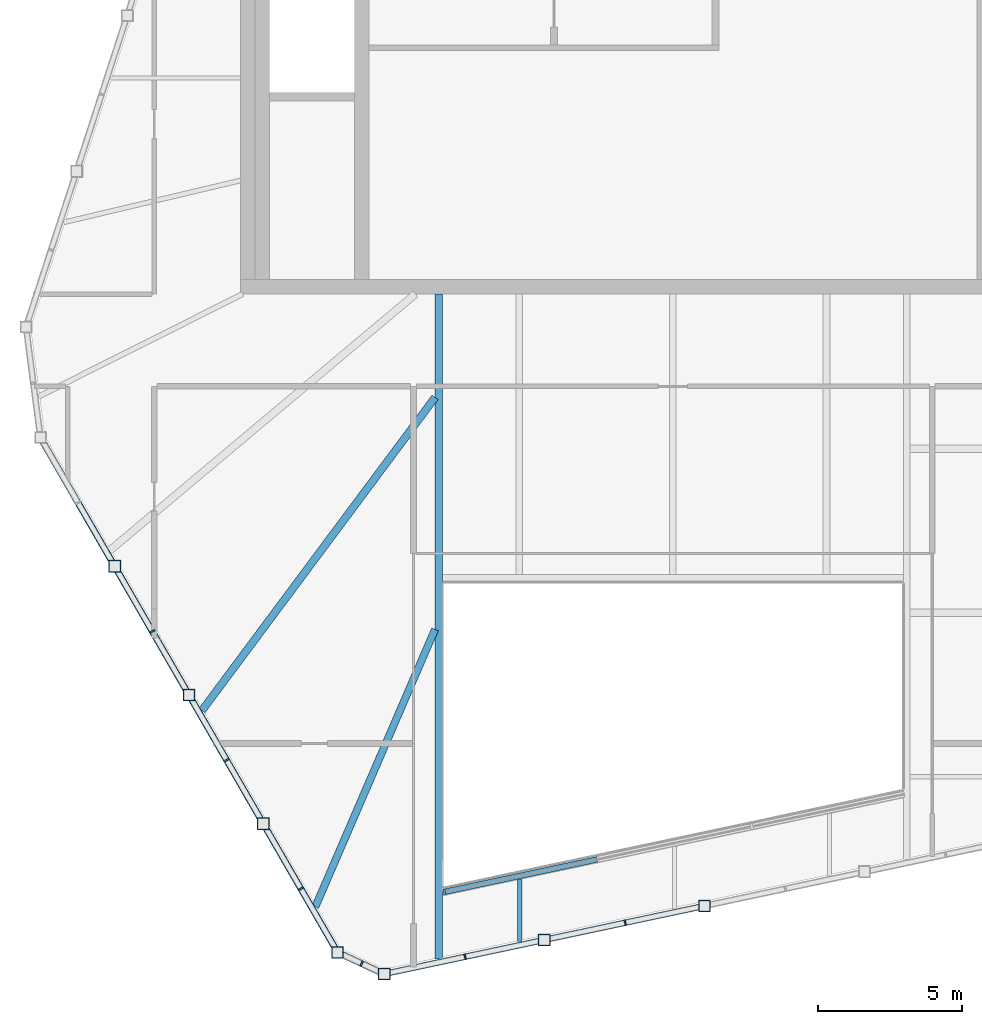
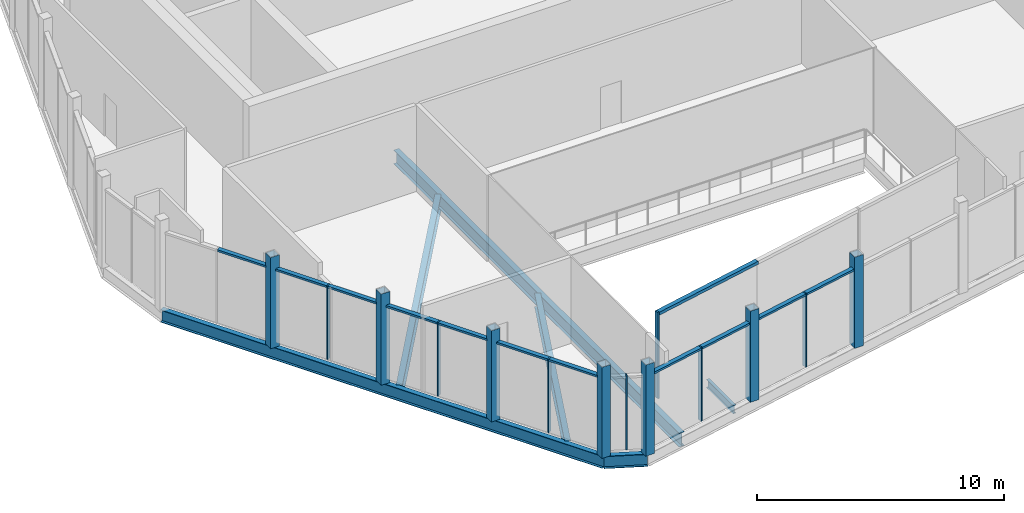
# One storey, part 1 of 10: 26 members, 6 beams, 4 elements without a shape of their own.
"""IFC4 building model written with IfcOpenShell, lengths in metres."""

from ifc_helpers import new_model, si_unit, direction, frame, origin, origin_2d, place, context, subcontext, project, spatial, rectangle, hollow_rectangle, i_section, extrude, material, layer, layer_set, material_profile, profile_set, type_object, element, aggregate, save


model = new_model("IFC4")

# Units and contexts
model_context = context("Model", 3, precision=1e-05, world=origin(), true_north=direction((0.0, 1.0)))
body_context = subcontext(model_context, "Body", "Model", "MODEL_VIEW")
ifc_project = project(units=[si_unit("LENGTHUNIT", "METRE"), si_unit("AREAUNIT", "SQUARE_METRE"), si_unit("VOLUMEUNIT", "CUBIC_METRE"), si_unit("PLANEANGLEUNIT", "RADIAN"), si_unit("MASSUNIT", "GRAM", prefix="KILO")], contexts=[model_context])

# Site, building, storey
site_placement = place(None, origin())
site = spatial("IfcSite", under=ifc_project, at=site_placement, CompositionType="ELEMENT")
building_placement = place(site_placement, origin())
building = spatial("IfcBuilding", under=site, at=building_placement, Name="Isthmus Gate Tower", CompositionType="ELEMENT")
storey_placement = place(building_placement, frame((0.0, 0.0, 311.10009765625)))
storey = spatial("IfcBuildingStorey", under=building, at=storey_placement, Name="C3", CompositionType="ELEMENT", Elevation=311.10009765625)

# Members
ifc_material_1 = material(Name="Structural steel ASTM A500 Gr C", Category="steel")
ifc_material_profile_1 = material_profile(ifc_material_1, hollow_rectangle(XDim=0.406494140625, YDim=0.406494140625, WallThickness=0.017578125, at=origin_2d()), Name="HSS16X16X3/4")
ifc_profile_set_1 = profile_set([ifc_material_profile_1], Name="Structural steel ASTM A500 Gr C")
member_type_1 = type_object("IfcMemberType", Name="CROWN POST HSS16X16X3/4", PredefinedType="POST", material=ifc_profile_set_1)
for number, where, z_axis, x_axis, name in (
    (1, (-19.370849609375, -9.44873046875, -0.25), (0.0, 0.0, 1.0), (1.0, 0.0, 0.0), "str-crownpost-C3-12"),
    (2, (-16.792236328125, -13.9150390625, -0.25), (0.0, 0.0, 1.0), (1.0, 0.0, 0.0), "str-crownpost-C3-13"),
    (3, (-14.213623046875, -18.38134765625, -0.25), (0.0, 0.0, 1.0), (1.0, 0.0, 0.0), "str-crownpost-C3-14"),
    (4, (-11.634765625, -22.847900390625, -0.25), (0.0, 0.0, 1.0), (1.0, 0.0, 0.0), "str-crownpost-C3-15"),
    (5, (-10.020263671875, -23.596435546875, -0.25), (0.0, 0.0, 1.0), (1.0, 0.0, 0.0), "str-crownpost-C3-16"),
    (6, (-4.46142578125, -22.414794921875, -0.25), (0.0, 0.0, 1.0), (1.0, 0.0, 0.0), "str-crownpost-C3-17"),
    (7, (1.097412109375, -21.233154296875, -0.25), (0.0, 0.0, 1.0), (1.0, 0.0, 0.0), "str-crownpost-C3-18"),
):
    element("IfcMember", number, at=place(storey_placement, frame(where, z_axis=z_axis, x_axis=x_axis)), inside=storey, type_object=member_type_1, Name=name, PredefinedType="POST", context=body_context, shape_type="SweptSolid", body=[
        extrude(hollow_rectangle(XDim=0.406494140625, YDim=0.406494140625, WallThickness=0.017578125, at=origin_2d()), origin(), (0.0, 0.0, 1.0), 4.5),
    ])

# Beams
ifc_material_2 = material(Name="Structural steel ASTM A992 Gr 50", Category="steel")
ifc_material_profile_2 = material_profile(ifc_material_2, i_section(OverallWidth=0.231689453125, OverallDepth=0.615966796875, WebThickness=0.0126953125, FlangeThickness=0.022216796875, at=origin_2d()), Name="W24X94")
ifc_profile_set_2 = profile_set([ifc_material_profile_2], Name="Structural steel ASTM A992 Gr 50")
beam_type_1 = type_object("IfcBeamType", Name="CROWN RING BEAM W24X94", PredefinedType="BEAM", material=ifc_profile_set_2)
beam_1_placement = place(storey_placement, frame((-21.949462890625, -4.982177734375, -0.55810546875), z_axis=(0.499996999955, -0.866027135854, 0.0), x_axis=(0.866027135854, 0.499996999955, 0.0)))
element("IfcBeam", 8, at=beam_1_placement, inside=storey, type_object=beam_type_1, Name="str-crownring-C3-04", PredefinedType="BEAM", context=body_context, shape_type="SweptSolid", body=[
    extrude(i_section(OverallWidth=0.231689453125, OverallDepth=0.615966796875, WebThickness=0.0126953125, FlangeThickness=0.022216796875, at=origin_2d()), origin(), (0.0, 0.0, 1.0), 20.629638671875),
])
beam_2_placement = place(storey_placement, frame((-11.634765625, -22.847900390625, -0.55810546875), z_axis=(0.907235278747, -0.420623524065, 0.0), x_axis=(0.420623524065, 0.907235278747, 0.0)))
element("IfcBeam", 9, at=beam_2_placement, inside=storey, type_object=beam_type_1, Name="str-crownring-C3-05", PredefinedType="BEAM", context=body_context, shape_type="SweptSolid", body=[
    extrude(i_section(OverallWidth=0.231689453125, OverallDepth=0.615966796875, WebThickness=0.0126953125, FlangeThickness=0.022216796875, at=origin_2d()), origin(), (0.0, 0.0, 1.0), 1.779541015625),
])

# Curtain wall, members
ifc_material_3 = material(Name="Aluminium, pale champagne anodised", Category="aluminium")
ifc_layer_1 = layer(ifc_material_3, 0.199951171875)
ifc_layer_set_1 = layer_set([ifc_layer_1], Name="CW-2 LOUVRE CURTAIN WALL 200 DEEP")
curtain_wall_type_1 = type_object("IfcCurtainWallType", Name="CW-2 LOUVRE CURTAIN WALL 200 DEEP", PredefinedType="NOTDEFINED", material=ifc_layer_set_1)
curtain_wall_1_placement = place(storey_placement, origin())
curtain_wall_1 = element("IfcCurtainWall", 10, at=curtain_wall_1_placement, inside=storey, type_object=curtain_wall_type_1, Name="CW-2 E04 C3", PredefinedType="NOTDEFINED")
ifc_material_4 = material(Name="Aluminium, pale champagne anodised", Category="aluminium")
ifc_material_profile_3 = material_profile(ifc_material_4, rectangle(XDim=0.06005859375, YDim=0.199951171875, at=origin_2d()), Name="60x200")
ifc_profile_set_3 = profile_set([ifc_material_profile_3], Name="Aluminium, pale champagne anodised")
member_type_2 = type_object("IfcMemberType", Name="CW-2 MULLION 60 X 200", PredefinedType="MULLION", material=ifc_profile_set_3)
member_1_placement = place(storey_placement, frame((-18.066650390625, -11.707763671875, 0.0), z_axis=(0.0, 0.0, 1.0), x_axis=(0.5, -0.866025403784, 0.0)))
member_1 = element("IfcMember", 11, at=member_1_placement, type_object=member_type_2, Name="CW-2 mullion", PredefinedType="MULLION", context=body_context, shape_type="SweptSolid", body=[
    extrude(rectangle(XDim=0.06005859375, YDim=0.199951171875, at=origin_2d()), origin(), (0.0, 0.0, 1.0), 3.634033203125),
])
member_2_placement = place(storey_placement, frame((-15.48779296875, -16.17431640625, 0.0), z_axis=(0.0, 0.0, 1.0), x_axis=(0.5, -0.866025403784, 0.0)))
member_2 = element("IfcMember", 12, at=member_2_placement, type_object=member_type_2, Name="CW-2 mullion", PredefinedType="MULLION", context=body_context, shape_type="SweptSolid", body=[
    extrude(rectangle(XDim=0.06005859375, YDim=0.199951171875, at=origin_2d()), origin(), (0.0, 0.0, 1.0), 3.634033203125),
])
member_3_placement = place(storey_placement, frame((-12.9091796875, -20.640625, 0.0), z_axis=(0.0, 0.0, 1.0), x_axis=(0.5, -0.866025403784, 0.0)))
member_3 = element("IfcMember", 13, at=member_3_placement, type_object=member_type_2, Name="CW-2 mullion", PredefinedType="MULLION", context=body_context, shape_type="SweptSolid", body=[
    extrude(rectangle(XDim=0.06005859375, YDim=0.199951171875, at=origin_2d()), origin(), (0.0, 0.0, 1.0), 3.634033203125),
])

# Curtain wall, member
curtain_wall_2_placement = place(storey_placement, origin())
curtain_wall_2 = element("IfcCurtainWall", 14, at=curtain_wall_2_placement, inside=storey, type_object=curtain_wall_type_1, Name="CW-2 E05 C3", PredefinedType="NOTDEFINED")
member_4_placement = place(storey_placement, frame((-10.80029296875, -23.234619140625, 0.0), z_axis=(0.0, 0.0, 1.0), x_axis=(0.907256261367, -0.420578264073, 0.0)))
member_4 = element("IfcMember", 15, at=member_4_placement, type_object=member_type_2, Name="CW-2 mullion", PredefinedType="MULLION", context=body_context, shape_type="SweptSolid", body=[
    extrude(rectangle(XDim=0.06005859375, YDim=0.199951171875, at=origin_2d()), origin(), (0.0, 0.0, 1.0), 3.634033203125),
])
aggregate(curtain_wall_2, [member_4])

# Curtain wall, members
curtain_wall_3_placement = place(storey_placement, origin())
curtain_wall_3 = element("IfcCurtainWall", 16, at=curtain_wall_3_placement, inside=storey, type_object=curtain_wall_type_1, Name="CW-2 E06 C3", PredefinedType="NOTDEFINED")
member_5_placement = place(storey_placement, frame((-7.21142578125, -22.999267578125, 0.0), z_axis=(0.0, 0.0, 1.0), x_axis=(0.978147600734, 0.207911690818, 0.0)))
member_5 = element("IfcMember", 17, at=member_5_placement, type_object=member_type_2, Name="CW-2 mullion", PredefinedType="MULLION", context=body_context, shape_type="SweptSolid", body=[
    extrude(rectangle(XDim=0.06005859375, YDim=0.199951171875, at=origin_2d()), origin(), (0.0, 0.0, 1.0), 3.634033203125),
])
member_6_placement = place(storey_placement, frame((-1.652587890625, -21.81787109375, 0.0), z_axis=(0.0, 0.0, 1.0), x_axis=(0.978147600734, 0.207911690818, 0.0)))
member_6 = element("IfcMember", 18, at=member_6_placement, type_object=member_type_2, Name="CW-2 mullion", PredefinedType="MULLION", context=body_context, shape_type="SweptSolid", body=[
    extrude(rectangle(XDim=0.06005859375, YDim=0.199951171875, at=origin_2d()), origin(), (0.0, 0.0, 1.0), 3.634033203125),
])

# Member
ifc_material_5 = material(Name="Aluminium, pale champagne anodised", Category="aluminium")
ifc_material_profile_4 = material_profile(ifc_material_5, rectangle(XDim=0.199951171875, YDim=0.10009765625, at=origin_2d()), Name="200x100")
ifc_profile_set_4 = profile_set([ifc_material_profile_4], Name="Aluminium, pale champagne anodised")
member_type_3 = type_object("IfcMemberType", Name="CW-2 TRANSOM 200 X 100", PredefinedType="USERDEFINED", material=ifc_profile_set_4)
member_7_placement = place(storey_placement, frame((-20.630126953125, -7.267333984375, 3.583984375), z_axis=(0.499971918929, -0.866041615791, 0.0), x_axis=(0.866041615791, 0.499971918929, 0.0)))
member_7 = element("IfcMember", 19, at=member_7_placement, type_object=member_type_3, Name="CW-2 transom", ObjectType="TRANSOM", PredefinedType="USERDEFINED", context=body_context, shape_type="SweptSolid", body=[
    extrude(rectangle(XDim=0.199951171875, YDim=0.10009765625, at=origin_2d()), origin(), (0.0, 0.0, 1.0), 2.315673828125),
])

member_8_placement = place(storey_placement, frame((-19.269287109375, -9.62451171875, 3.583984375), z_axis=(0.49997450891, -0.866040120572, 0.0), x_axis=(0.866040120572, 0.49997450891, 0.0)))
member_8 = element("IfcMember", 20, at=member_8_placement, type_object=member_type_3, Name="CW-2 transom", ObjectType="TRANSOM", PredefinedType="USERDEFINED", context=body_context, shape_type="SweptSolid", body=[
    extrude(rectangle(XDim=0.199951171875, YDim=0.10009765625, at=origin_2d()), origin(), (0.0, 0.0, 1.0), 2.37548828125),
])

member_9_placement = place(storey_placement, frame((-18.051513671875, -11.73388671875, 3.583984375), z_axis=(0.50001757531, -0.866015256437, 0.0), x_axis=(0.866015256437, 0.50001757531, 0.0)))
member_9 = element("IfcMember", 21, at=member_9_placement, type_object=member_type_3, Name="CW-2 transom", ObjectType="TRANSOM", PredefinedType="USERDEFINED", context=body_context, shape_type="SweptSolid", body=[
    extrude(rectangle(XDim=0.199951171875, YDim=0.10009765625, at=origin_2d()), origin(), (0.0, 0.0, 1.0), 2.3154296875),
])

member_10_placement = place(storey_placement, frame((-16.690673828125, -14.091064453125, 3.583984375), z_axis=(0.500019011276, -0.866014427341, 0.0), x_axis=(0.866014427341, 0.500019011276, 0.0)))
member_10 = element("IfcMember", 22, at=member_10_placement, type_object=member_type_3, Name="CW-2 transom", ObjectType="TRANSOM", PredefinedType="USERDEFINED", context=body_context, shape_type="SweptSolid", body=[
    extrude(rectangle(XDim=0.199951171875, YDim=0.10009765625, at=origin_2d()), origin(), (0.0, 0.0, 1.0), 2.37548828125),
])

member_11_placement = place(storey_placement, frame((-15.472900390625, -16.2001953125, 3.583984375), z_axis=(0.50001757531, -0.866015256437, 0.0), x_axis=(0.866015256437, 0.50001757531, 0.0)))
member_11 = element("IfcMember", 23, at=member_11_placement, type_object=member_type_3, Name="CW-2 transom", ObjectType="TRANSOM", PredefinedType="USERDEFINED", context=body_context, shape_type="SweptSolid", body=[
    extrude(rectangle(XDim=0.199951171875, YDim=0.10009765625, at=origin_2d()), origin(), (0.0, 0.0, 1.0), 2.3154296875),
])

member_12_placement = place(storey_placement, frame((-14.112060546875, -18.557373046875, 3.583984375), z_axis=(0.500019011276, -0.866014427341, 0.0), x_axis=(0.866014427341, 0.500019011276, 0.0)))
member_12 = element("IfcMember", 24, at=member_12_placement, type_object=member_type_3, Name="CW-2 transom", ObjectType="TRANSOM", PredefinedType="USERDEFINED", context=body_context, shape_type="SweptSolid", body=[
    extrude(rectangle(XDim=0.199951171875, YDim=0.10009765625, at=origin_2d()), origin(), (0.0, 0.0, 1.0), 2.37548828125),
])

member_13_placement = place(storey_placement, frame((-12.894287109375, -20.66650390625, 3.583984375), z_axis=(0.499971918929, -0.866041615791, 0.0), x_axis=(0.866041615791, 0.499971918929, 0.0)))
member_13 = element("IfcMember", 25, at=member_13_placement, type_object=member_type_3, Name="CW-2 transom", ObjectType="TRANSOM", PredefinedType="USERDEFINED", context=body_context, shape_type="SweptSolid", body=[
    extrude(rectangle(XDim=0.199951171875, YDim=0.10009765625, at=origin_2d()), origin(), (0.0, 0.0, 1.0), 2.315673828125),
])

aggregate(curtain_wall_1, [member_7, member_8, member_1, member_9, member_10, member_2, member_11, member_12, member_3, member_13])

member_14_placement = place(storey_placement, frame((-9.8212890625, -23.55419921875, 3.583984375), z_axis=(0.978142384703, 0.207936228801, 0.0), x_axis=(-0.207936228801, 0.978142384703, 0.0)))
member_14 = element("IfcMember", 26, at=member_14_placement, type_object=member_type_3, Name="CW-2 transom", ObjectType="TRANSOM", PredefinedType="USERDEFINED", context=body_context, shape_type="SweptSolid", body=[
    extrude(rectangle(XDim=0.199951171875, YDim=0.10009765625, at=origin_2d()), origin(), (0.0, 0.0, 1.0), 2.63818359375),
])

member_15_placement = place(storey_placement, frame((-7.18212890625, -22.9931640625, 3.583984375), z_axis=(0.978142002072, 0.207938028708, 0.0), x_axis=(-0.207938028708, 0.978142002072, 0.0)))
member_15 = element("IfcMember", 27, at=member_15_placement, type_object=member_type_3, Name="CW-2 transom", ObjectType="TRANSOM", PredefinedType="USERDEFINED", context=body_context, shape_type="SweptSolid", body=[
    extrude(rectangle(XDim=0.199951171875, YDim=0.10009765625, at=origin_2d()), origin(), (0.0, 0.0, 1.0), 2.578369140625),
])

member_16_placement = place(storey_placement, frame((-4.262451171875, -22.37255859375, 3.583984375), z_axis=(0.978142384703, 0.207936228801, 0.0), x_axis=(-0.207936228801, 0.978142384703, 0.0)))
member_16 = element("IfcMember", 28, at=member_16_placement, type_object=member_type_3, Name="CW-2 transom", ObjectType="TRANSOM", PredefinedType="USERDEFINED", context=body_context, shape_type="SweptSolid", body=[
    extrude(rectangle(XDim=0.199951171875, YDim=0.10009765625, at=origin_2d()), origin(), (0.0, 0.0, 1.0), 2.63818359375),
])

member_17_placement = place(storey_placement, frame((-1.623291015625, -21.8115234375, 3.583984375), z_axis=(0.978142002072, 0.207938028708, 0.0), x_axis=(-0.207938028708, 0.978142002072, 0.0)))
member_17 = element("IfcMember", 29, at=member_17_placement, type_object=member_type_3, Name="CW-2 transom", ObjectType="TRANSOM", PredefinedType="USERDEFINED", context=body_context, shape_type="SweptSolid", body=[
    extrude(rectangle(XDim=0.199951171875, YDim=0.10009765625, at=origin_2d()), origin(), (0.0, 0.0, 1.0), 2.578369140625),
])

aggregate(curtain_wall_3, [member_14, member_5, member_15, member_16, member_6, member_17])

# Curtain wall, members
ifc_material_6 = material(Name="Aluminium, pale champagne anodised", Category="aluminium")
ifc_layer_2 = layer(ifc_material_6, 0.199951171875)
ifc_layer_set_2 = layer_set([ifc_layer_2], Name="CW-4 ATRIUM CURTAIN WALL 200 DEEP")
curtain_wall_type_2 = type_object("IfcCurtainWallType", Name="CW-4 ATRIUM CURTAIN WALL 200 DEEP", PredefinedType="NOTDEFINED", material=ifc_layer_set_2)
curtain_wall_4_placement = place(storey_placement, origin())
curtain_wall_4 = element("IfcCurtainWall", 30, at=curtain_wall_4_placement, inside=storey, type_object=curtain_wall_type_2, Name="CW-4 atrium south C3", PredefinedType="NOTDEFINED")
ifc_material_7 = material(Name="Aluminium, pale champagne anodised", Category="aluminium")
ifc_material_profile_5 = material_profile(ifc_material_7, rectangle(XDim=0.080078125, YDim=0.199951171875, at=origin_2d()), Name="80x200")
ifc_profile_set_5 = profile_set([ifc_material_profile_5], Name="Aluminium, pale champagne anodised")
member_type_4 = type_object("IfcMemberType", Name="CW-4 MULLION 80 X 200", PredefinedType="MULLION", material=ifc_profile_set_5)
member_18_placement = place(storey_placement, frame((-7.9296875, -20.74951171875, 0.0), z_axis=(0.0, 0.0, 1.0), x_axis=(0.978147600734, 0.207911690818, 0.0)))
member_18 = element("IfcMember", 31, at=member_18_placement, type_object=member_type_4, Name="CW-4 mullion", PredefinedType="MULLION", context=body_context, shape_type="SweptSolid", body=[
    extrude(rectangle(XDim=0.080078125, YDim=0.199951171875, at=origin_2d()), origin(), (0.0, 0.0, 1.0), 4.25),
])
ifc_material_8 = material(Name="Aluminium, pale champagne anodised", Category="aluminium")
ifc_material_profile_6 = material_profile(ifc_material_8, rectangle(XDim=0.199951171875, YDim=0.14990234375, at=origin_2d()), Name="200x150")
ifc_profile_set_6 = profile_set([ifc_material_profile_6], Name="Aluminium, pale champagne anodised")
member_type_5 = type_object("IfcMemberType", Name="CW-4 TRANSOM 200 X 150", PredefinedType="USERDEFINED", material=ifc_profile_set_6)
member_19_placement = place(storey_placement, frame((-7.890625, -20.7412109375, 4.1748046875), z_axis=(0.978150188204, 0.207899517354, 0.0), x_axis=(-0.207899517354, 0.978150188204, 0.0)))
member_19 = element("IfcMember", 32, at=member_19_placement, type_object=member_type_5, Name="CW-4 transom", ObjectType="TRANSOM", PredefinedType="USERDEFINED", context=body_context, shape_type="SweptSolid", body=[
    extrude(rectangle(XDim=0.199951171875, YDim=0.14990234375, at=origin_2d()), origin(), (0.0, 0.0, 1.0), 5.37255859375),
])
aggregate(curtain_wall_4, [member_18, member_19])

# Beams
ifc_material_9 = material(Name="Structural steel ASTM A992 Gr 50", Category="steel")
ifc_material_profile_7 = material_profile(ifc_material_9, i_section(OverallWidth=0.1396484375, OverallDepth=0.4033203125, WebThickness=0.00634765625, FlangeThickness=0.010986328125, at=origin_2d()), Name="W16X31")
ifc_profile_set_7 = profile_set([ifc_material_profile_7], Name="Structural steel ASTM A992 Gr 50")
beam_type_2 = type_object("IfcBeamType", Name="STEEL FLOOR BEAM W16X31", PredefinedType="JOIST", material=ifc_profile_set_7)
beam_3_placement = place(storey_placement, frame((-5.314208984375, -22.4775390625, -0.45166015625), z_axis=(0.0, 1.0, 0.0), x_axis=(-1.0, 0.0, 0.0)))
element("IfcBeam", 33, at=beam_3_placement, inside=storey, type_object=beam_type_2, Name="str-beam-C3-01-00", PredefinedType="JOIST", context=body_context, shape_type="SweptSolid", body=[
    extrude(i_section(OverallWidth=0.1396484375, OverallDepth=0.4033203125, WebThickness=0.00634765625, FlangeThickness=0.010986328125, at=origin_2d()), origin(), (0.0, 0.0, 1.0), 2.16455078125),
])
ifc_material_10 = material(Name="Structural steel ASTM A992 Gr 50", Category="steel")
ifc_material_profile_8 = material_profile(ifc_material_10, i_section(OverallWidth=0.25390625, OverallDepth=0.679443359375, WebThickness=0.010986328125, FlangeThickness=0.015869140625, at=origin_2d()), Name="W27X84")
ifc_profile_set_8 = profile_set([ifc_material_profile_8], Name="Structural steel ASTM A992 Gr 50")
beam_type_3 = type_object("IfcBeamType", Name="STEEL FLOOR BEAM W27X84", PredefinedType="JOIST", material=ifc_profile_set_8)
beam_4_placement = place(storey_placement, frame((-8.25390625, -11.635009765625, -0.58984375), z_axis=(-0.396088419483, -0.918212374101, 0.0), x_axis=(0.918212374101, -0.396088419483, 0.0)))
element("IfcBeam", 34, at=beam_4_placement, inside=storey, type_object=beam_type_3, Name="str-beam-C3-00-16", PredefinedType="JOIST", context=body_context, shape_type="SweptSolid", body=[
    extrude(i_section(OverallWidth=0.25390625, OverallDepth=0.679443359375, WebThickness=0.010986328125, FlangeThickness=0.015869140625, at=origin_2d()), origin(), (0.0, 0.0, 1.0), 10.4951171875),
])
ifc_material_11 = material(Name="Structural steel ASTM A992 Gr 50", Category="steel")
ifc_material_profile_9 = material_profile(ifc_material_11, i_section(OverallWidth=0.263427734375, OverallDepth=0.749267578125, WebThickness=0.0126953125, FlangeThickness=0.015869140625, at=origin_2d()), Name="W30X90")
ifc_profile_set_9 = profile_set([ifc_material_profile_9], Name="Structural steel ASTM A992 Gr 50")
beam_type_4 = type_object("IfcBeamType", Name="STEEL FLOOR BEAM W30X90", PredefinedType="JOIST", material=ifc_profile_set_9)
beam_5_placement = place(storey_placement, frame((-8.25390625, -3.587158203125, -0.624755859375), z_axis=(-0.597171204021, -0.802113803078, 0.0), x_axis=(0.802113803078, -0.597171204021, 0.0)))
element("IfcBeam", 35, at=beam_5_placement, inside=storey, type_object=beam_type_4, Name="str-beam-C3-00-15", PredefinedType="JOIST", context=body_context, shape_type="SweptSolid", body=[
    extrude(i_section(OverallWidth=0.263427734375, OverallDepth=0.749267578125, WebThickness=0.0126953125, FlangeThickness=0.015869140625, at=origin_2d()), origin(), (0.0, 0.0, 1.0), 13.550537109375),
])
ifc_material_12 = material(Name="Structural steel ASTM A992 Gr 50", Category="steel")
ifc_material_profile_10 = material_profile(ifc_material_12, i_section(OverallWidth=0.25390625, OverallDepth=0.679443359375, WebThickness=0.010986328125, FlangeThickness=0.015869140625, at=origin_2d()), Name="W27X84")
ifc_profile_set_10 = profile_set([ifc_material_profile_10], Name="Structural steel ASTM A992 Gr 50")
beam_type_5 = type_object("IfcBeamType", Name="STEEL TRIMMER W27X84", PredefinedType="BEAM", material=ifc_profile_set_10)
beam_6_placement = place(storey_placement, frame((-8.126953125, 0.0, -0.58984375), z_axis=(0.0, -1.0, 0.0), x_axis=(1.0, 0.0, 0.0)))
element("IfcBeam", 36, at=beam_6_placement, inside=storey, type_object=beam_type_5, Name="str-trimmer-C3-02", PredefinedType="BEAM", context=body_context, shape_type="SweptSolid", body=[
    extrude(i_section(OverallWidth=0.25390625, OverallDepth=0.679443359375, WebThickness=0.010986328125, FlangeThickness=0.015869140625, at=origin_2d()), origin(), (0.0, 0.0, 1.0), 23.075439453125),
])

save(model, "model.ifc")
